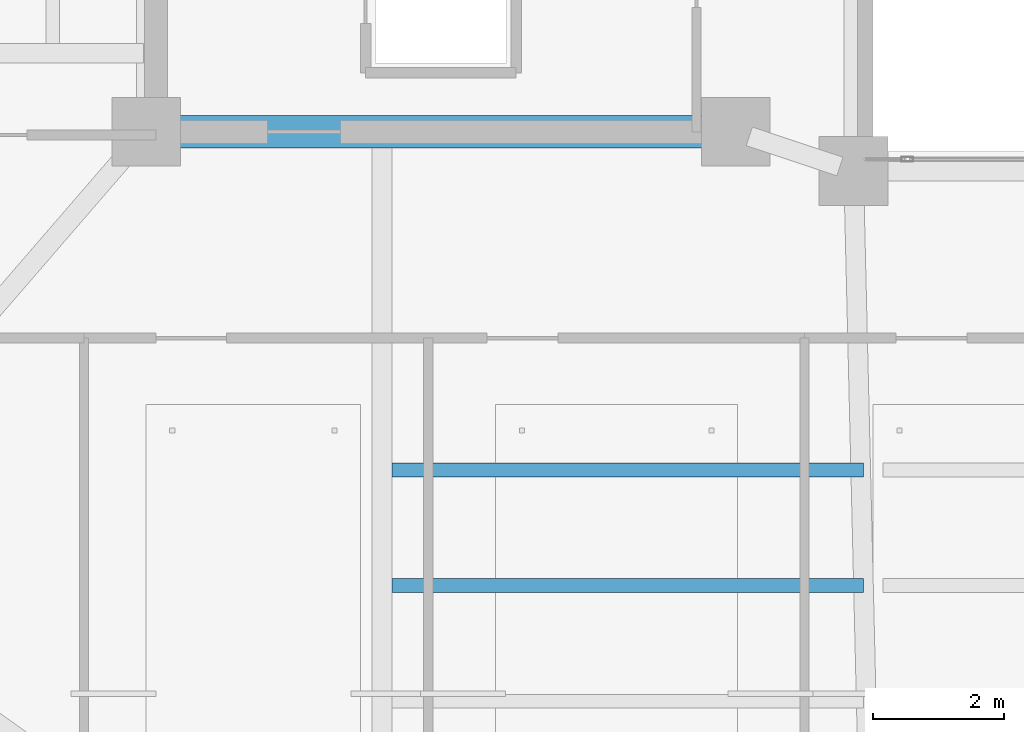
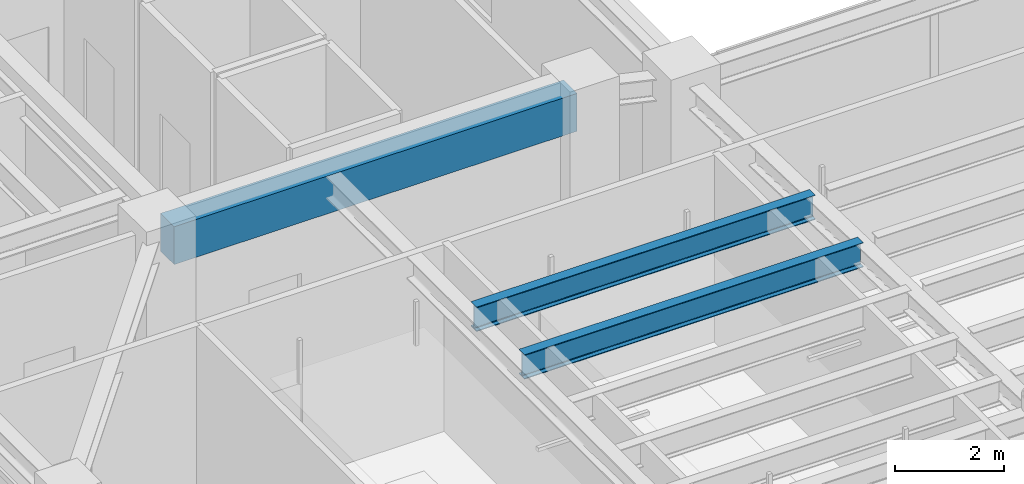
# One storey, part 4 of 33: 3 beams.
"""IFC4 building model written with IfcOpenShell, lengths in metres."""

import ifcopenshell
import ifcopenshell.guid

model = None  # the IFC model being written
_history = None  # IfcOwnerHistory: only IFC2X3 demands one
_inside = {}  # id of a spatial element -> (the spatial element, [elements in it])
_under = {}  # id of a project, library or spatial element -> (it, [spatial elements below it])
_declared = {}  # id of a project -> (the project, [libraries it declares])
_typed = {}  # id of a type object -> (the type object, [elements of that type])
_made_of = {}  # id of a material, layer set ... -> (it, [elements and type objects made of it])


def new_model(schema):
    """Start an empty IFC model of exactly this schema.

    Asked for "IFC4X3", IfcOpenShell would pick the latest addendum, in which some entities
    have other attributes; the version numbers below select the first issue.
    IFC2X3 requires an IfcOwnerHistory on every rooted entity: one is made here for all.
    """
    global model, _history
    if schema == "IFC4X3":
        model = ifcopenshell.file(schema_version=(4, 3, 0, 0))
    else:
        model = ifcopenshell.file(schema=schema)
    _inside.clear()
    _under.clear()
    _declared.clear()
    _typed.clear()
    _made_of.clear()
    _history = None
    if model.schema == "IFC2X3":
        org = make("IfcOrganization", Name="unknown")
        user = make(
            "IfcPersonAndOrganization",
            ThePerson=make("IfcPerson", FamilyName="unknown"),
            TheOrganization=org,
        )
        app = make(
            "IfcApplication",
            ApplicationDeveloper=org,
            Version="unknown",
            ApplicationFullName="unknown",
            ApplicationIdentifier="unknown",
        )
        _history = make(
            "IfcOwnerHistory",
            OwningUser=user,
            OwningApplication=app,
            ChangeAction="ADDED",
            CreationDate=0,
        )
    return model


def make(cls, **values):
    """One entity of the class cls with the attributes given. An attribute that is None is left unset."""
    return model.create_entity(
        cls, **{name: value for name, value in values.items() if value is not None}
    )


def rooted(cls, **values):
    """An entity with a GlobalId (a new one), such as an element, a storey or a relation."""
    return make(cls, GlobalId=ifcopenshell.guid.new(), OwnerHistory=_history, **values)


def si_unit(unit_type, name, prefix=None):
    """IfcSIUnit, for example si_unit("LENGTHUNIT", "METRE", prefix="MILLI")."""
    return make("IfcSIUnit", UnitType=unit_type, Prefix=prefix, Name=name)


def assignment(units):
    """IfcUnitAssignment: the units of a project."""
    return None if units is None else make("IfcUnitAssignment", Units=units)


def point(xyz):
    """IfcCartesianPoint."""
    return None if xyz is None else make("IfcCartesianPoint", Coordinates=xyz)


def direction(xyz):
    """IfcDirection."""
    return None if xyz is None else make("IfcDirection", DirectionRatios=xyz)


def frame(location, z_axis=None, x_axis=None):
    """IfcAxis2Placement3D, a coordinate frame: its origin and axes. An axis left out is left unset."""
    return make(
        "IfcAxis2Placement3D",
        Location=point(location),
        Axis=direction(z_axis),
        RefDirection=direction(x_axis),
    )


def frame_2d(location, x_axis=None):
    """IfcAxis2Placement2D, a coordinate frame in the plane: its origin and x axis."""
    return make(
        "IfcAxis2Placement2D", Location=point(location), RefDirection=direction(x_axis)
    )


def origin():
    """The frame at (0, 0, 0) with its axes left unset."""
    return frame((0.0, 0.0, 0.0))


def origin_2d():
    """The frame at (0, 0) in the plane with its x axis left unset."""
    return frame_2d((0.0, 0.0))


def place(relative_to, where):
    """IfcLocalPlacement: puts the frame where relative to a parent placement (None: the world)."""
    return make(
        "IfcLocalPlacement", PlacementRelTo=relative_to, RelativePlacement=where
    )


def context(
    kind, dimensions, precision=None, world=None, true_north=None, identifier=None
):
    """IfcGeometricRepresentationContext, for example the 3D "Model" context."""
    return make(
        "IfcGeometricRepresentationContext",
        ContextIdentifier=identifier,
        ContextType=kind,
        CoordinateSpaceDimension=dimensions,
        Precision=precision,
        WorldCoordinateSystem=world,
        TrueNorth=true_north,
    )


def subcontext(parent, identifier, kind, view, scale=None):
    """IfcGeometricRepresentationSubContext, for example "Body" below "Model"."""
    return make(
        "IfcGeometricRepresentationSubContext",
        ContextIdentifier=identifier,
        ContextType=kind,
        ParentContext=parent,
        TargetScale=scale,
        TargetView=view,
    )


def project(units=None, contexts=None):
    """IfcProject with its units and contexts."""
    return rooted(
        "IfcProject",
        Name="project",
        RepresentationContexts=contexts,
        UnitsInContext=assignment(units),
    )


def spatial(cls, under=None, at=None, **own):
    """A site, building, storey or space (cls), placed at a placement, below another one or the project."""
    s = rooted(cls, ObjectPlacement=at, **own)
    if under is not None:
        _under.setdefault(under.id(), (under, []))[1].append(s)
    return s


def profile(cls, at=None, kind="AREA", **sizes):
    """A parametric profile (cls). Its sizes go by their IFC names, for example OverallWidth=200.0."""
    return make(cls, ProfileType=kind, Position=at, **sizes)


def rectangle(**sizes):
    """IfcRectangleProfileDef."""
    return profile("IfcRectangleProfileDef", **sizes)


def i_section(**sizes):
    """IfcIShapeProfileDef."""
    return profile("IfcIShapeProfileDef", **sizes)


def extrude(swept, where, along, depth):
    """IfcExtrudedAreaSolid: the profile swept, set in the frame where, extruded along a direction by depth."""
    return make(
        "IfcExtrudedAreaSolid",
        SweptArea=swept,
        Position=where,
        ExtrudedDirection=direction(along),
        Depth=depth,
    )


def shape(context_of_items, identifier, shape_type, items):
    """IfcShapeRepresentation: the items that make up one representation, for example the "Body"."""
    return make(
        "IfcShapeRepresentation",
        ContextOfItems=context_of_items,
        RepresentationIdentifier=identifier,
        RepresentationType=shape_type,
        Items=items,
    )


def material(Name=None, Category=None):
    """IfcMaterial."""
    return make("IfcMaterial", Name=Name, Category=Category)


def material_profile(
    of_material, cross_section, Name=None, Category=None, Priority=None
):
    """IfcMaterialProfile: a cross section and its material."""
    return make(
        "IfcMaterialProfile",
        Name=Name,
        Material=of_material,
        Profile=cross_section,
        Priority=Priority,
        Category=Category,
    )


def profile_set(profiles, Name=None, composite=None):
    """IfcMaterialProfileSet."""
    return make(
        "IfcMaterialProfileSet",
        Name=Name,
        MaterialProfiles=profiles,
        CompositeProfile=composite,
    )


def made_of(thing, what):
    """Note that an element or type object is made of a material, layer set ...; save() writes the relation."""
    if what is not None:
        _made_of.setdefault(what.id(), (what, []))[1].append(thing)
    return thing


def type_object(cls, material=None, **own):
    """A type object (cls), such as IfcWallType, which elements share."""
    return made_of(rooted(cls, **own), material)


def element(
    cls,
    number,
    at=None,
    inside=None,
    cuts=None,
    type_object=None,
    material=None,
    context=None,
    identifier="Body",
    shape_type=None,
    held_by="IfcProductDefinitionShape",
    body=None,
    shapes=None,
    **own,
):
    """One element of the class cls, such as IfcWall. Its Tag is "e" and its number.

    at: its placement. inside: the storey or other place that contains it. cuts: it is an
    opening in that element (IfcRelVoidsElement). A single representation is given by context,
    identifier, shape_type and body (its items); several are given by shapes. held_by: the class
    of the entity that holds the representations. save() writes the other relations.
    """
    e = rooted(cls, Tag="e%d" % number, ObjectPlacement=at, **own)
    if body is not None:
        shapes = [shape(context, identifier, shape_type, body)]
    if shapes is not None:
        e.Representation = make(held_by, Representations=shapes)
    if inside is not None:
        _inside.setdefault(inside.id(), (inside, []))[1].append(e)
    if cuts is not None:
        rooted(
            "IfcRelVoidsElement", RelatingBuildingElement=cuts, RelatedOpeningElement=e
        )
    if type_object is not None:
        _typed.setdefault(type_object.id(), (type_object, []))[1].append(e)
    return made_of(e, material)


def aggregate(whole, parts):
    """IfcRelAggregates: a whole, such as a stair, and the parts it consists of."""
    return rooted("IfcRelAggregates", RelatingObject=whole, RelatedObjects=parts)


def save(model, path):
    """Write the relations noted so far, then the file.

    IfcRelAggregates (storeys below a building ...), IfcRelContainedInSpatialStructure (elements
    in a storey), IfcRelDefinesByType, IfcRelAssociatesMaterial and IfcRelDeclares: one each for
    every whole, place, type object, material and project.
    """
    for whole, parts in _under.values():
        aggregate(whole, parts)
    for where, things in _inside.values():
        rooted(
            "IfcRelContainedInSpatialStructure",
            RelatedElements=things,
            RelatingStructure=where,
        )
    for kind, things in _typed.values():
        rooted("IfcRelDefinesByType", RelatedObjects=things, RelatingType=kind)
    for what, things in _made_of.values():
        rooted("IfcRelAssociatesMaterial", RelatedObjects=things, RelatingMaterial=what)
    for by, libraries in _declared.values():
        rooted("IfcRelDeclares", RelatingContext=by, RelatedDefinitions=libraries)
    model.write(path)


model = new_model("IFC4")

# Units and contexts
model_context = context("Model", 3, precision=1e-05, world=origin(), true_north=direction((0.0, 1.0)))
body_context = subcontext(model_context, "Body", "Model", "MODEL_VIEW")
ifc_project = project(units=[si_unit("LENGTHUNIT", "METRE"), si_unit("AREAUNIT", "SQUARE_METRE"), si_unit("VOLUMEUNIT", "CUBIC_METRE"), si_unit("PLANEANGLEUNIT", "RADIAN"), si_unit("MASSUNIT", "GRAM", prefix="KILO")], contexts=[model_context])

# Site, building, storey
site_placement = place(None, origin())
site = spatial("IfcSite", under=ifc_project, at=site_placement, CompositionType="ELEMENT")
building_placement = place(site_placement, origin())
building = spatial("IfcBuilding", under=site, at=building_placement, Name="Tarnavaz Court Tower", CompositionType="ELEMENT")
storey_placement = place(building_placement, frame((0.0, 0.0, 177.300048828125)))
storey = spatial("IfcBuildingStorey", under=building, at=storey_placement, Name="L48", CompositionType="ELEMENT", Elevation=177.300048828125)

# Beams
ifc_material_1 = material(Name="Concrete C50/60", Category="concrete")
ifc_material_profile_1 = material_profile(ifc_material_1, rectangle(XDim=0.5, YDim=0.85009765625, at=origin_2d()), Name="RC 500X850")
ifc_profile_set_1 = profile_set([ifc_material_profile_1], Name="Concrete C50/60")
beam_type_1 = type_object("IfcBeamType", Name="BM-CB850", PredefinedType="LINTEL", material=ifc_profile_set_1)
beam_placement = place(storey_placement, frame((-18.3798828125, -7.199951171875, 3.77490234375), z_axis=(1.0, 0.0, 0.0), x_axis=(0.0, 1.0, 0.0)))
element("IfcBeam", 1, at=beam_placement, inside=storey, type_object=beam_type_1, Name="L48 Beam IN-CW-SO-CW-SI", PredefinedType="LINTEL", context=body_context, shape_type="SweptSolid", body=[
    extrude(rectangle(XDim=0.5, YDim=0.85009765625, at=origin_2d()), origin(), (0.0, 0.0, 1.0), 8.559814453125),
])
ifc_material_2 = material(Name="Steel S355", Category="steel")
ifc_material_profile_2 = material_profile(ifc_material_2, i_section(OverallWidth=0.2099609375, OverallDepth=0.550048828125, WebThickness=0.010986328125, FlangeThickness=0.01708984375, FilletRadius=0.02392578125, at=origin_2d()), Name="IPE 550")
ifc_profile_set_2 = profile_set([ifc_material_profile_2], Name="Steel S355")
beam_type_2 = type_object("IfcBeamType", Name="BM-J-IPE550", PredefinedType="JOIST", material=ifc_profile_set_2)
for number, where, z_axis, x_axis, name in (
    (2, (-14.85009765625, -12.364013671875, 3.925048828125), (1.0, 0.0, 0.0), (0.0, 1.0, 0.0), "L48 Beam JS1-1"),
    (3, (-14.85009765625, -14.1279296875, 3.925048828125), (1.0, 0.0, 0.0), (0.0, 1.0, 0.0), "L48 Beam JS2-1"),
):
    element("IfcBeam", number, at=place(storey_placement, frame(where, z_axis=z_axis, x_axis=x_axis)), inside=storey, type_object=beam_type_2, Name=name, PredefinedType="JOIST", context=body_context, shape_type="SweptSolid", body=[
        extrude(i_section(OverallWidth=0.2099609375, OverallDepth=0.550048828125, WebThickness=0.010986328125, FlangeThickness=0.01708984375, FilletRadius=0.02392578125, at=origin_2d()), origin(), (0.0, 0.0, 1.0), 7.2001953125),
    ])

save(model, "model.ifc")
